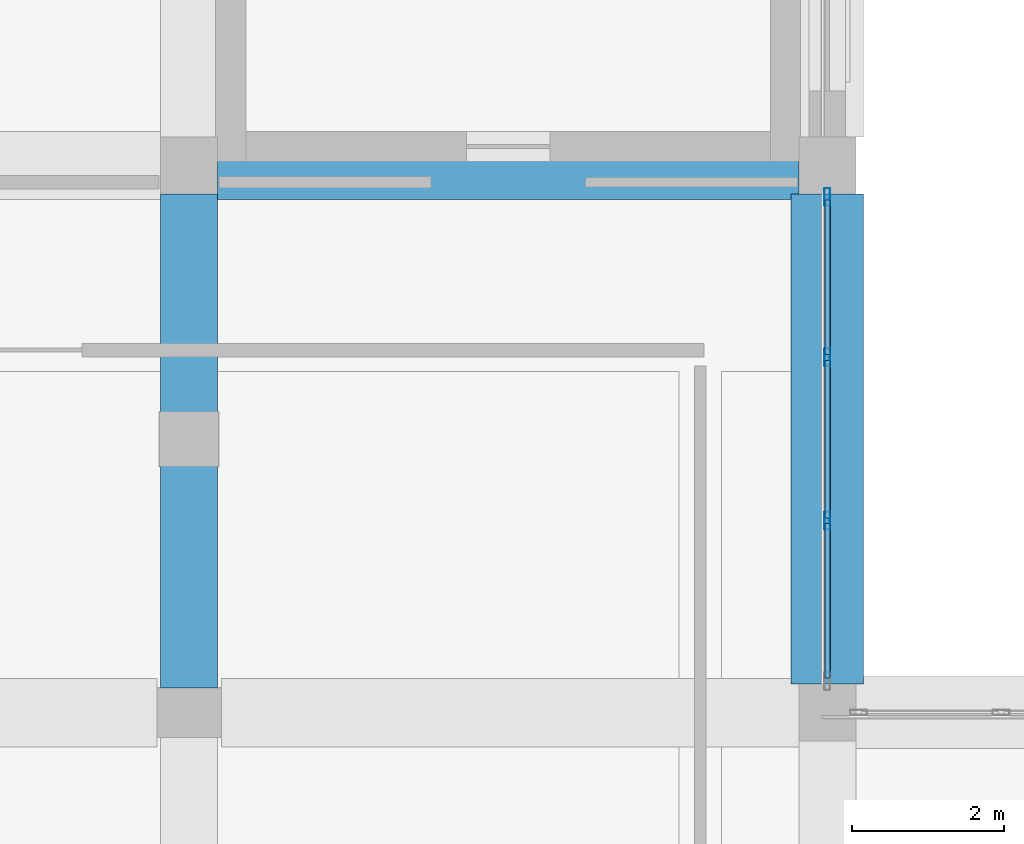
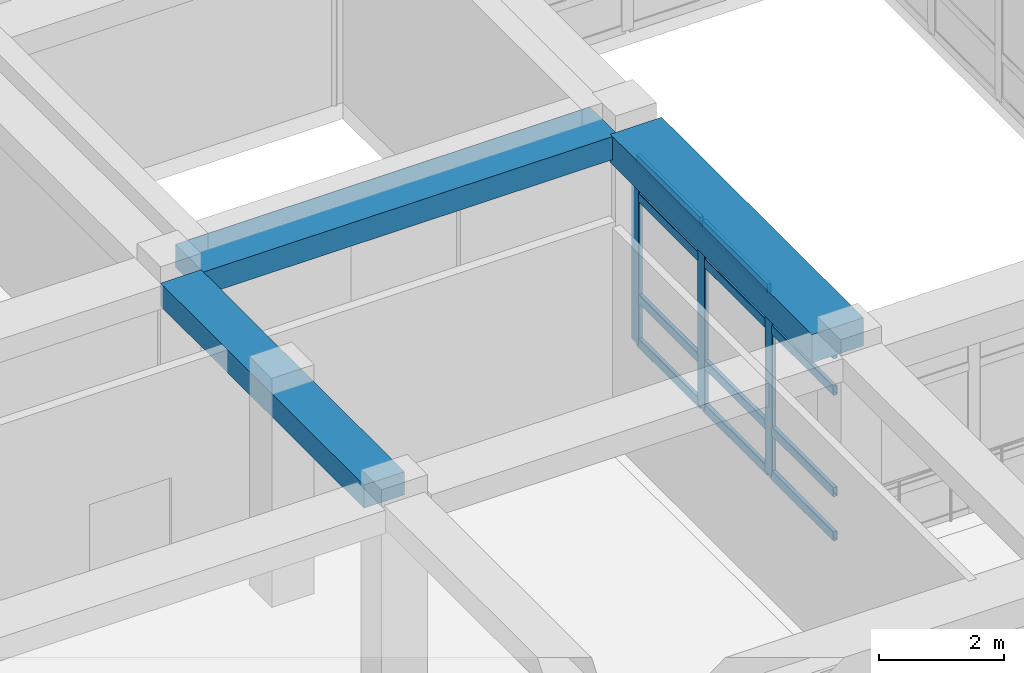
# One storey, part 10 of 121: 15 members, 3 beams, 1 element without a shape of its own.
"""IFC4 building model written with IfcOpenShell, lengths in metres."""

from ifc_helpers import new_model, si_unit, derived_unit, direction, frame, origin, origin_2d, place, context, subcontext, project, spatial, rectangle, hollow_rectangle, extrude, material, material_profile, profile_set, type_object, element, aggregate, save


model = new_model("IFC4")

# Units and contexts
model_context = context("Model", 3, precision=1e-05, world=origin(), true_north=direction((0.0, 1.0)))
body_context = subcontext(model_context, "Body", "Model", "MODEL_VIEW")
ifc_project = project(units=[si_unit("LENGTHUNIT", "METRE"), si_unit("AREAUNIT", "SQUARE_METRE"), si_unit("VOLUMEUNIT", "CUBIC_METRE"), si_unit("PLANEANGLEUNIT", "RADIAN"), si_unit("MASSUNIT", "GRAM", prefix="KILO"), derived_unit("THERMALTRANSMITTANCEUNIT", [(si_unit("POWERUNIT", "WATT"), 1), (si_unit("LENGTHUNIT", "METRE"), -2), (si_unit("THERMODYNAMICTEMPERATUREUNIT", "KELVIN"), -1)])], contexts=[model_context])

# Site, building, storey
site_placement = place(None, origin())
site = spatial("IfcSite", under=ifc_project, at=site_placement, CompositionType="ELEMENT")
building_placement = place(site_placement, origin())
building = spatial("IfcBuilding", under=site, at=building_placement, Name="Veybourne Emporium", CompositionType="ELEMENT")
storey_placement = place(building_placement, frame((0.0, 0.0, 5.39990234375)))
storey = spatial("IfcBuildingStorey", under=building, at=storey_placement, Name="L01", CompositionType="ELEMENT", Elevation=5.39990234375)

# Curtain wall, members
ifc_material_1 = material(Name="Patinated Architectural Bronze", Category="bronze")
curtain_wall_type = type_object("IfcCurtainWallType", Name="CWSystem_CWS-07", PredefinedType="NOTDEFINED", material=ifc_material_1)
curtain_wall_placement = place(storey_placement, origin())
curtain_wall = element("IfcCurtainWall", 1, at=curtain_wall_placement, inside=storey, type_object=curtain_wall_type, Name="L01 bronze glazed curtain wall CWS-07 (029)", PredefinedType="NOTDEFINED")
ifc_material_profile_1 = material_profile(ifc_material_1, hollow_rectangle(XDim=0.077880859375, YDim=0.235107421875, WallThickness=0.0048828125, InnerFilletRadius=0.007568359375, OuterFilletRadius=0.012451171875, at=origin_2d()), Name="CWM 78x235x5")
ifc_profile_set_1 = profile_set([ifc_material_profile_1], Name="Patinated Architectural Bronze")
member_type_1 = type_object("IfcMemberType", Name="CWMullion_CW-M3", PredefinedType="MULLION", material=ifc_profile_set_1)
member_1_placement = place(storey_placement, frame((58.800048828125, 13.986083984375, 0.0), z_axis=(0.0, 0.0, 1.0), x_axis=(1.0, 0.0, 0.0)))
member_1 = element("IfcMember", 2, at=member_1_placement, type_object=member_type_1, Name="CWS-07 mullion 1", PredefinedType="MULLION", context=body_context, shape_type="SweptSolid", body=[
    extrude(hollow_rectangle(XDim=0.077880859375, YDim=0.235107421875, WallThickness=0.0048828125, InnerFilletRadius=0.007568359375, OuterFilletRadius=0.012451171875, at=origin_2d()), origin(), (0.0, 0.0, 1.0), 3.630126953125),
])
member_2_placement = place(storey_placement, frame((58.800048828125, 11.875, 0.0), z_axis=(0.0, 0.0, 1.0), x_axis=(1.0, 0.0, 0.0)))
member_2 = element("IfcMember", 3, at=member_2_placement, type_object=member_type_1, Name="CWS-07 mullion 2", PredefinedType="MULLION", context=body_context, shape_type="SweptSolid", body=[
    extrude(hollow_rectangle(XDim=0.077880859375, YDim=0.235107421875, WallThickness=0.0048828125, InnerFilletRadius=0.007568359375, OuterFilletRadius=0.012451171875, at=origin_2d()), origin(), (0.0, 0.0, 1.0), 3.630126953125),
])
member_3_placement = place(storey_placement, frame((58.800048828125, 9.72509765625, 0.0), z_axis=(0.0, 0.0, 1.0), x_axis=(1.0, 0.0, 0.0)))
member_3 = element("IfcMember", 4, at=member_3_placement, type_object=member_type_1, Name="CWS-07 mullion 3", PredefinedType="MULLION", context=body_context, shape_type="SweptSolid", body=[
    extrude(hollow_rectangle(XDim=0.077880859375, YDim=0.235107421875, WallThickness=0.0048828125, InnerFilletRadius=0.007568359375, OuterFilletRadius=0.012451171875, at=origin_2d()), origin(), (0.0, 0.0, 1.0), 3.630126953125),
])
ifc_material_profile_2 = material_profile(ifc_material_1, hollow_rectangle(XDim=0.077880859375, YDim=0.18505859375, WallThickness=0.0048828125, InnerFilletRadius=0.007568359375, OuterFilletRadius=0.012451171875, at=origin_2d()), Name="CWT 78x185x5")
ifc_profile_set_2 = profile_set([ifc_material_profile_2], Name="Patinated Architectural Bronze")
member_type_2 = type_object("IfcMemberType", Name="CWTransom_CW-T3", PredefinedType="NOTDEFINED", material=ifc_profile_set_2)
member_4_placement = place(storey_placement, frame((58.800048828125, 13.947021484375, 0.0390625), z_axis=(0.0, -1.0, 0.0), x_axis=(1.0, 0.0, 0.0)))
member_4 = element("IfcMember", 5, at=member_4_placement, type_object=member_type_2, Name="CWS-07 transom 1.1", ObjectType="TRANSOM", PredefinedType="USERDEFINED", context=body_context, shape_type="SweptSolid", body=[
    extrude(hollow_rectangle(XDim=0.077880859375, YDim=0.18505859375, WallThickness=0.0048828125, InnerFilletRadius=0.007568359375, OuterFilletRadius=0.012451171875, at=origin_2d()), origin(), (0.0, 0.0, 1.0), 2.032958984375),
])
member_5_placement = place(storey_placement, frame((58.800048828125, 13.947021484375, 0.900146484375), z_axis=(0.0, -1.0, 0.0), x_axis=(1.0, 0.0, 0.0)))
member_5 = element("IfcMember", 6, at=member_5_placement, type_object=member_type_2, Name="CWS-07 transom 1.2", ObjectType="TRANSOM", PredefinedType="USERDEFINED", context=body_context, shape_type="SweptSolid", body=[
    extrude(hollow_rectangle(XDim=0.077880859375, YDim=0.18505859375, WallThickness=0.0048828125, InnerFilletRadius=0.007568359375, OuterFilletRadius=0.012451171875, at=origin_2d()), origin(), (0.0, 0.0, 1.0), 2.032958984375),
])
member_6_placement = place(storey_placement, frame((58.800048828125, 13.947021484375, 2.880126953125), z_axis=(0.0, -1.0, 0.0), x_axis=(1.0, 0.0, 0.0)))
member_6 = element("IfcMember", 7, at=member_6_placement, type_object=member_type_2, Name="CWS-07 transom 1.3", ObjectType="TRANSOM", PredefinedType="USERDEFINED", context=body_context, shape_type="SweptSolid", body=[
    extrude(hollow_rectangle(XDim=0.077880859375, YDim=0.18505859375, WallThickness=0.0048828125, InnerFilletRadius=0.007568359375, OuterFilletRadius=0.012451171875, at=origin_2d()), origin(), (0.0, 0.0, 1.0), 2.032958984375),
])
member_7_placement = place(storey_placement, frame((58.800048828125, 13.947021484375, 3.591064453125), z_axis=(0.0, -1.0, 0.0), x_axis=(1.0, 0.0, 0.0)))
member_7 = element("IfcMember", 8, at=member_7_placement, type_object=member_type_2, Name="CWS-07 transom 1.4", ObjectType="TRANSOM", PredefinedType="USERDEFINED", context=body_context, shape_type="SweptSolid", body=[
    extrude(hollow_rectangle(XDim=0.077880859375, YDim=0.18505859375, WallThickness=0.0048828125, InnerFilletRadius=0.007568359375, OuterFilletRadius=0.012451171875, at=origin_2d()), origin(), (0.0, 0.0, 1.0), 2.032958984375),
])
member_8_placement = place(storey_placement, frame((58.800048828125, 11.8359375, 0.0390625), z_axis=(0.0, -1.0, 0.0), x_axis=(1.0, 0.0, 0.0)))
member_8 = element("IfcMember", 9, at=member_8_placement, type_object=member_type_2, Name="CWS-07 transom 2.1", ObjectType="TRANSOM", PredefinedType="USERDEFINED", context=body_context, shape_type="SweptSolid", body=[
    extrude(hollow_rectangle(XDim=0.077880859375, YDim=0.18505859375, WallThickness=0.0048828125, InnerFilletRadius=0.007568359375, OuterFilletRadius=0.012451171875, at=origin_2d()), origin(), (0.0, 0.0, 1.0), 2.072021484375),
])
member_9_placement = place(storey_placement, frame((58.800048828125, 11.8359375, 0.900146484375), z_axis=(0.0, -1.0, 0.0), x_axis=(1.0, 0.0, 0.0)))
member_9 = element("IfcMember", 10, at=member_9_placement, type_object=member_type_2, Name="CWS-07 transom 2.2", ObjectType="TRANSOM", PredefinedType="USERDEFINED", context=body_context, shape_type="SweptSolid", body=[
    extrude(hollow_rectangle(XDim=0.077880859375, YDim=0.18505859375, WallThickness=0.0048828125, InnerFilletRadius=0.007568359375, OuterFilletRadius=0.012451171875, at=origin_2d()), origin(), (0.0, 0.0, 1.0), 2.072021484375),
])
member_10_placement = place(storey_placement, frame((58.800048828125, 11.8359375, 2.880126953125), z_axis=(0.0, -1.0, 0.0), x_axis=(1.0, 0.0, 0.0)))
member_10 = element("IfcMember", 11, at=member_10_placement, type_object=member_type_2, Name="CWS-07 transom 2.3", ObjectType="TRANSOM", PredefinedType="USERDEFINED", context=body_context, shape_type="SweptSolid", body=[
    extrude(hollow_rectangle(XDim=0.077880859375, YDim=0.18505859375, WallThickness=0.0048828125, InnerFilletRadius=0.007568359375, OuterFilletRadius=0.012451171875, at=origin_2d()), origin(), (0.0, 0.0, 1.0), 2.072021484375),
])
member_11_placement = place(storey_placement, frame((58.800048828125, 11.8359375, 3.591064453125), z_axis=(0.0, -1.0, 0.0), x_axis=(1.0, 0.0, 0.0)))
member_11 = element("IfcMember", 12, at=member_11_placement, type_object=member_type_2, Name="CWS-07 transom 2.4", ObjectType="TRANSOM", PredefinedType="USERDEFINED", context=body_context, shape_type="SweptSolid", body=[
    extrude(hollow_rectangle(XDim=0.077880859375, YDim=0.18505859375, WallThickness=0.0048828125, InnerFilletRadius=0.007568359375, OuterFilletRadius=0.012451171875, at=origin_2d()), origin(), (0.0, 0.0, 1.0), 2.072021484375),
])
member_12_placement = place(storey_placement, frame((58.800048828125, 9.68603515625, 0.0390625), z_axis=(0.0, -1.0, 0.0), x_axis=(1.0, 0.0, 0.0)))
member_12 = element("IfcMember", 13, at=member_12_placement, type_object=member_type_2, Name="CWS-07 transom 3.1", ObjectType="TRANSOM", PredefinedType="USERDEFINED", context=body_context, shape_type="SweptSolid", body=[
    extrude(hollow_rectangle(XDim=0.077880859375, YDim=0.18505859375, WallThickness=0.0048828125, InnerFilletRadius=0.007568359375, OuterFilletRadius=0.012451171875, at=origin_2d()), origin(), (0.0, 0.0, 1.0), 2.032958984375),
])
member_13_placement = place(storey_placement, frame((58.800048828125, 9.68603515625, 0.900146484375), z_axis=(0.0, -1.0, 0.0), x_axis=(1.0, 0.0, 0.0)))
member_13 = element("IfcMember", 14, at=member_13_placement, type_object=member_type_2, Name="CWS-07 transom 3.2", ObjectType="TRANSOM", PredefinedType="USERDEFINED", context=body_context, shape_type="SweptSolid", body=[
    extrude(hollow_rectangle(XDim=0.077880859375, YDim=0.18505859375, WallThickness=0.0048828125, InnerFilletRadius=0.007568359375, OuterFilletRadius=0.012451171875, at=origin_2d()), origin(), (0.0, 0.0, 1.0), 2.032958984375),
])
member_14_placement = place(storey_placement, frame((58.800048828125, 9.68603515625, 2.880126953125), z_axis=(0.0, -1.0, 0.0), x_axis=(1.0, 0.0, 0.0)))
member_14 = element("IfcMember", 15, at=member_14_placement, type_object=member_type_2, Name="CWS-07 transom 3.3", ObjectType="TRANSOM", PredefinedType="USERDEFINED", context=body_context, shape_type="SweptSolid", body=[
    extrude(hollow_rectangle(XDim=0.077880859375, YDim=0.18505859375, WallThickness=0.0048828125, InnerFilletRadius=0.007568359375, OuterFilletRadius=0.012451171875, at=origin_2d()), origin(), (0.0, 0.0, 1.0), 2.032958984375),
])
member_15_placement = place(storey_placement, frame((58.800048828125, 9.68603515625, 3.591064453125), z_axis=(0.0, -1.0, 0.0), x_axis=(1.0, 0.0, 0.0)))
member_15 = element("IfcMember", 16, at=member_15_placement, type_object=member_type_2, Name="CWS-07 transom 3.4", ObjectType="TRANSOM", PredefinedType="USERDEFINED", context=body_context, shape_type="SweptSolid", body=[
    extrude(hollow_rectangle(XDim=0.077880859375, YDim=0.18505859375, WallThickness=0.0048828125, InnerFilletRadius=0.007568359375, OuterFilletRadius=0.012451171875, at=origin_2d()), origin(), (0.0, 0.0, 1.0), 2.032958984375),
])
aggregate(curtain_wall, [member_1, member_2, member_3, member_4, member_5, member_6, member_7, member_8, member_9, member_10, member_11, member_12, member_13, member_14, member_15])

# Beams
ifc_material_2 = material(Name="Concrete C32/40", Category="concrete")
ifc_material_profile_3 = material_profile(ifc_material_2, rectangle(XDim=0.89990234375, YDim=0.449951171875, at=origin_2d()), Name="RC 900x450")
ifc_profile_set_3 = profile_set([ifc_material_profile_3], Name="Concrete C32/40")
beam_type_1 = type_object("IfcBeamType", Name="RCBeam_BB-03", PredefinedType="BEAM", material=ifc_profile_set_3)
beam_1_placement = place(storey_placement, frame((50.77490234375, 14.39990234375, 3.955078125), z_axis=(1.0, 0.0, 0.0), x_axis=(0.0, 1.0, 0.0)))
element("IfcBeam", 17, at=beam_1_placement, inside=storey, type_object=beam_type_1, Name="L01 X-grid beam BB-03 (6,2)", PredefinedType="BEAM", context=body_context, shape_type="SweptSolid", body=[
    extrude(rectangle(XDim=0.89990234375, YDim=0.449951171875, at=origin_2d()), origin(), (0.0, 0.0, 1.0), 7.650146484375),
])
ifc_material_profile_4 = material_profile(ifc_material_2, rectangle(XDim=0.75, YDim=0.449951171875, at=origin_2d()), Name="RC 750x450")
ifc_profile_set_4 = profile_set([ifc_material_profile_4], Name="Concrete C32/40")
beam_type_2 = type_object("IfcBeamType", Name="RCBeam_BB-04", PredefinedType="BEAM", material=ifc_profile_set_4)
beam_2_placement = place(storey_placement, frame((50.39990234375, 7.52490234375, 3.955078125), z_axis=(0.0, 1.0, 0.0), x_axis=(-1.0, 0.0, 0.0)))
element("IfcBeam", 18, at=beam_2_placement, inside=storey, type_object=beam_type_2, Name="L01 Y-grid beam BB-04 (6,1)", PredefinedType="BEAM", context=body_context, shape_type="SweptSolid", body=[
    extrude(rectangle(XDim=0.75, YDim=0.449951171875, at=origin_2d()), origin(), (0.0, 0.0, 1.0), 6.5),
])
ifc_material_profile_5 = material_profile(ifc_material_2, rectangle(XDim=0.949951171875, YDim=0.550048828125, at=origin_2d()), Name="RC 950x550")
ifc_profile_set_5 = profile_set([ifc_material_profile_5], Name="Concrete C32/40")
beam_type_3 = type_object("IfcBeamType", Name="RCBeam_EB-01", PredefinedType="SPANDREL", material=ifc_profile_set_5)
beam_3_placement = place(storey_placement, frame((58.800048828125, 7.574951171875, 3.905029296875), z_axis=(0.0, 1.0, 0.0), x_axis=(-1.0, 0.0, 0.0)))
element("IfcBeam", 19, at=beam_3_placement, inside=storey, type_object=beam_type_3, Name="L01 Y-grid beam EB-01 (7,1)", PredefinedType="SPANDREL", context=body_context, shape_type="SweptSolid", body=[
    extrude(rectangle(XDim=0.949951171875, YDim=0.550048828125, at=origin_2d()), origin(), (0.0, 0.0, 1.0), 6.449951171875),
])

save(model, "model.ifc")
